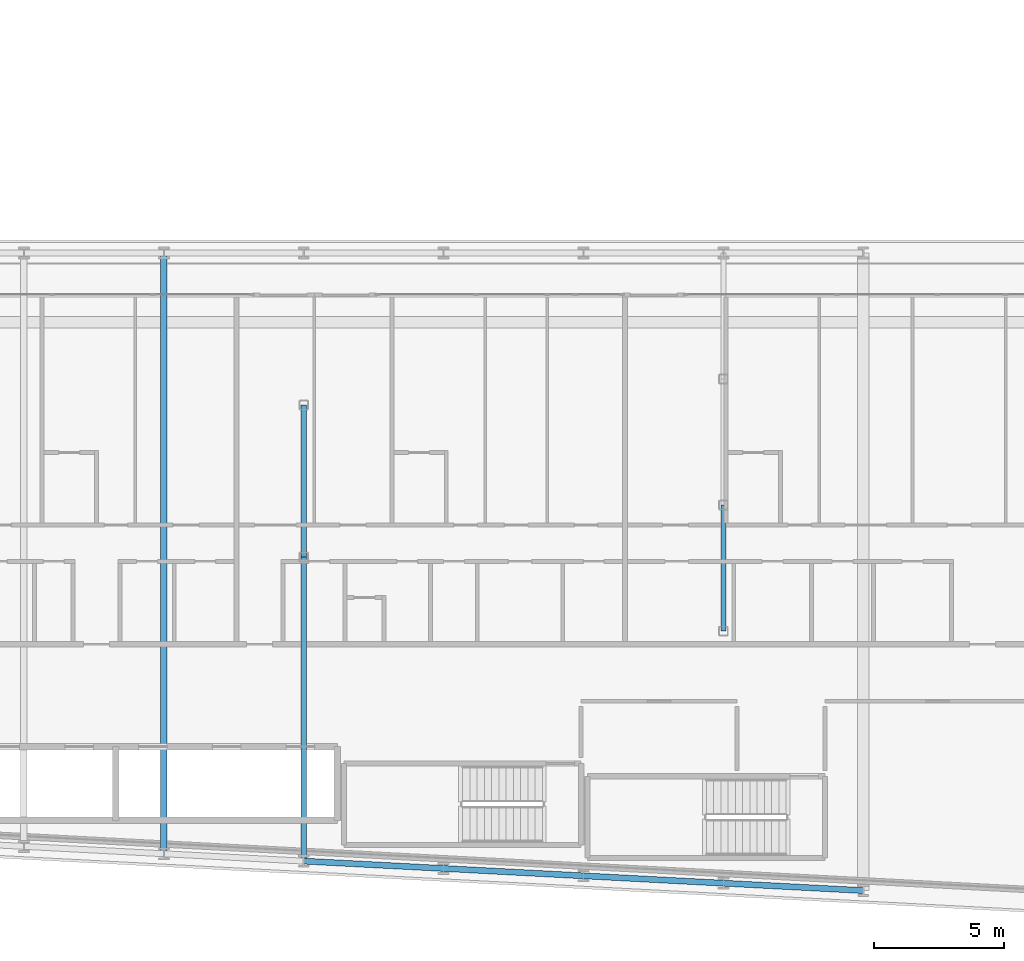
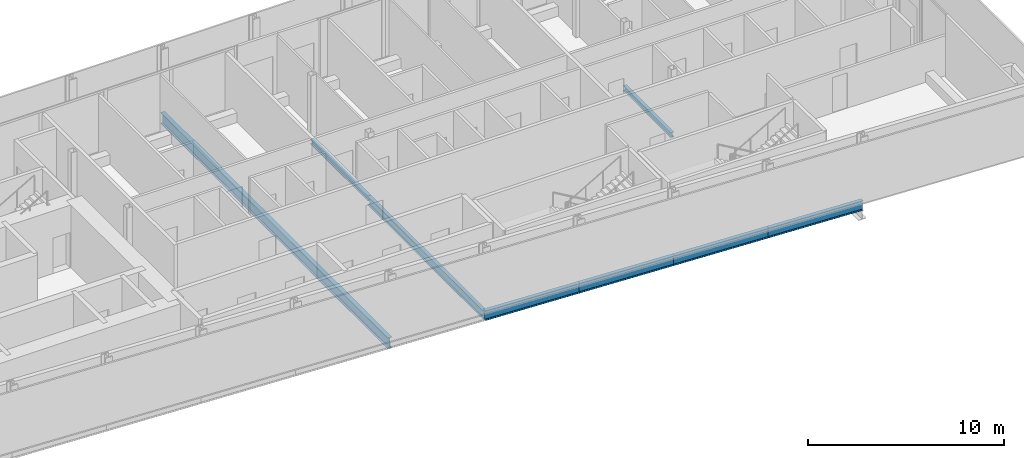
# One storey, part 5 of 29: 8 beams.
"""IFC4 building model written with IfcOpenShell, lengths in metres."""

from ifc_helpers import new_model, si_unit, direction, frame, origin, origin_2d, place, context, subcontext, project, spatial, i_section, extrude, material, material_profile, profile_set, type_object, element, save


model = new_model("IFC4")

# Units and contexts
model_context = context("Model", 3, precision=1e-05, world=origin(), true_north=direction((0.0, 1.0)))
body_context = subcontext(model_context, "Body", "Model", "MODEL_VIEW")
ifc_project = project(units=[si_unit("LENGTHUNIT", "METRE"), si_unit("AREAUNIT", "SQUARE_METRE"), si_unit("VOLUMEUNIT", "CUBIC_METRE"), si_unit("PLANEANGLEUNIT", "RADIAN"), si_unit("MASSUNIT", "GRAM", prefix="KILO")], contexts=[model_context])

# Site, building, storey
site_placement = place(None, origin())
site = spatial("IfcSite", under=ifc_project, at=site_placement, CompositionType="ELEMENT")
building_placement = place(site_placement, origin())
building = spatial("IfcBuilding", under=site, at=building_placement, Name="Kheshtan School and Residences Tower", CompositionType="ELEMENT")
storey_placement = place(building_placement, frame((0.0, 0.0, 117.5)))
storey = spatial("IfcBuildingStorey", under=building, at=storey_placement, Name="L27", CompositionType="ELEMENT", Elevation=117.5)

# Beams
ifc_material = material(Name="Steel ASTM A992 Grade 50", Category="steel")
ifc_material_profile_1 = material_profile(ifc_material, i_section(OverallWidth=0.202880859375, OverallDepth=0.302978515625, WebThickness=0.007568359375, FlangeThickness=0.01318359375, FilletRadius=0.009033203125, at=origin_2d()), Name="W310x60")
ifc_profile_set_1 = profile_set([ifc_material_profile_1], Name="Steel ASTM A992 Grade 50")
beam_type_1 = type_object("IfcBeamType", Name="Beam FB1 W310x60 ASTM A992 Grade 50", PredefinedType="BEAM", material=ifc_profile_set_1)
beam_1_placement = place(storey_placement, frame((85.39990234375, 31.0048828125, -0.301513671875), z_axis=(0.0, 1.0, 0.0), x_axis=(-1.0, 0.0, 0.0)))
element("IfcBeam", 1, at=beam_1_placement, inside=storey, type_object=beam_type_1, Name="Floor beam IC", PredefinedType="BEAM", context=body_context, shape_type="SweptSolid", body=[
    extrude(i_section(OverallWidth=0.202880859375, OverallDepth=0.302978515625, WebThickness=0.007568359375, FlangeThickness=0.01318359375, FilletRadius=0.009033203125, at=origin_2d()), origin(), (0.0, 0.0, 1.0), 4.865234375),
])
beam_2_placement = place(storey_placement, frame((69.199951171875, 33.863037109375, -0.301513671875), z_axis=(0.0, 1.0, 0.0), x_axis=(-1.0, 0.0, 0.0)))
element("IfcBeam", 2, at=beam_2_placement, inside=storey, type_object=beam_type_1, Name="Floor beam IC", PredefinedType="BEAM", context=body_context, shape_type="SweptSolid", body=[
    extrude(i_section(OverallWidth=0.202880859375, OverallDepth=0.302978515625, WebThickness=0.007568359375, FlangeThickness=0.01318359375, FilletRadius=0.009033203125, at=origin_2d()), origin(), (0.0, 0.0, 1.0), 5.868896484375),
])
ifc_material_profile_2 = material_profile(ifc_material, i_section(OverallWidth=0.208984375, OverallDepth=0.532958984375, WebThickness=0.01025390625, FlangeThickness=0.015625, FilletRadius=0.013916015625, at=origin_2d()), Name="W530x92")
ifc_profile_set_2 = profile_set([ifc_material_profile_2], Name="Steel ASTM A992 Grade 50")
beam_type_2 = type_object("IfcBeamType", Name="Beam FB4 W530x92 ASTM A992 Grade 50", PredefinedType="BEAM", material=ifc_profile_set_2)
beam_3_placement = place(storey_placement, frame((69.199951171875, 22.126953125, -0.41650390625), z_axis=(0.0, 1.0, 0.0), x_axis=(-1.0, 0.0, 0.0)))
element("IfcBeam", 3, at=beam_3_placement, inside=storey, type_object=beam_type_2, Name="Floor beam C014", PredefinedType="BEAM", context=body_context, shape_type="SweptSolid", body=[
    extrude(i_section(OverallWidth=0.208984375, OverallDepth=0.532958984375, WebThickness=0.01025390625, FlangeThickness=0.015625, FilletRadius=0.013916015625, at=origin_2d()), origin(), (0.0, 0.0, 1.0), 11.736083984375),
])
ifc_material_profile_3 = material_profile(ifc_material, i_section(OverallWidth=0.2529296875, OverallDepth=0.677978515625, WebThickness=0.01171875, FlangeThickness=0.016357421875, FilletRadius=0.0146484375, at=origin_2d()), Name="W690x125")
ifc_profile_set_3 = profile_set([ifc_material_profile_3], Name="Steel ASTM A992 Grade 50")
beam_type_3 = type_object("IfcBeamType", Name="Beam FB6 W690x125 ASTM A992 Grade 50", PredefinedType="BEAM", material=ifc_profile_set_3)
beam_4_placement = place(storey_placement, frame((63.800048828125, 45.60009765625, -0.489013671875), z_axis=(0.0, -1.0, 0.0), x_axis=(1.0, 0.0, 0.0)))
element("IfcBeam", 4, at=beam_4_placement, inside=storey, type_object=beam_type_3, Name="Floor beam C063", PredefinedType="BEAM", context=body_context, shape_type="SweptSolid", body=[
    extrude(i_section(OverallWidth=0.2529296875, OverallDepth=0.677978515625, WebThickness=0.01171875, FlangeThickness=0.016357421875, FilletRadius=0.0146484375, at=origin_2d()), origin(), (0.0, 0.0, 1.0), 23.189208984375),
])
ifc_material_profile_4 = material_profile(ifc_material, i_section(OverallWidth=0.22802734375, OverallDepth=0.60302734375, WebThickness=0.010498046875, FlangeThickness=0.014892578125, FilletRadius=0.013427734375, at=origin_2d()), Name="W610x101")
ifc_profile_set_4 = profile_set([ifc_material_profile_4], Name="Steel ASTM A992 Grade 50")
beam_type_4 = type_object("IfcBeamType", Name="Beam SP2 W610x101 ASTM A992 Grade 50", PredefinedType="BEAM", material=ifc_profile_set_4)
beam_5_placement = place(storey_placement, frame((90.800048828125, 20.989990234375, -0.451416015625), z_axis=(-0.998620571751, 0.05250670125, 0.0), x_axis=(-0.05250670125, -0.998620571751, 0.0)))
element("IfcBeam", 5, at=beam_5_placement, inside=storey, type_object=beam_type_4, Name="Spandrel beam C006-C008", PredefinedType="BEAM", context=body_context, shape_type="SweptSolid", body=[
    extrude(i_section(OverallWidth=0.22802734375, OverallDepth=0.60302734375, WebThickness=0.010498046875, FlangeThickness=0.014892578125, FilletRadius=0.013427734375, at=origin_2d()), origin(), (0.0, 0.0, 1.0), 5.40771484375),
])
for number, where, z_axis, x_axis, name in (
    (6, (85.39990234375, 21.27392578125, -0.451416015625), (-0.998618078766, 0.052554093665, 0.0), (-0.052554093665, -0.998618078766, 0.0), "Spandrel beam C008-C012"),
    (7, (80.0, 21.55810546875, -0.451416015625), (-0.998610961136, 0.052689166816, 0.0), (-0.052689166816, -0.998610961136, 0.0), "Spandrel beam C012-C013"),
):
    element("IfcBeam", number, at=place(storey_placement, frame(where, z_axis=z_axis, x_axis=x_axis)), inside=storey, type_object=beam_type_4, Name=name, PredefinedType="BEAM", context=body_context, shape_type="SweptSolid", body=[
        extrude(i_section(OverallWidth=0.22802734375, OverallDepth=0.60302734375, WebThickness=0.010498046875, FlangeThickness=0.014892578125, FilletRadius=0.013427734375, at=origin_2d()), origin(), (0.0, 0.0, 1.0), 5.407470703125),
    ])
beam_6_placement = place(storey_placement, frame((74.60009765625, 21.843017578125, -0.451416015625), z_axis=(-0.998620571751, 0.05250670125, 0.0), x_axis=(-0.05250670125, -0.998620571751, 0.0)))
element("IfcBeam", 8, at=beam_6_placement, inside=storey, type_object=beam_type_4, Name="Spandrel beam C013-C014", PredefinedType="BEAM", context=body_context, shape_type="SweptSolid", body=[
    extrude(i_section(OverallWidth=0.22802734375, OverallDepth=0.60302734375, WebThickness=0.010498046875, FlangeThickness=0.014892578125, FilletRadius=0.013427734375, at=origin_2d()), origin(), (0.0, 0.0, 1.0), 5.40771484375),
])

save(model, "model.ifc")
